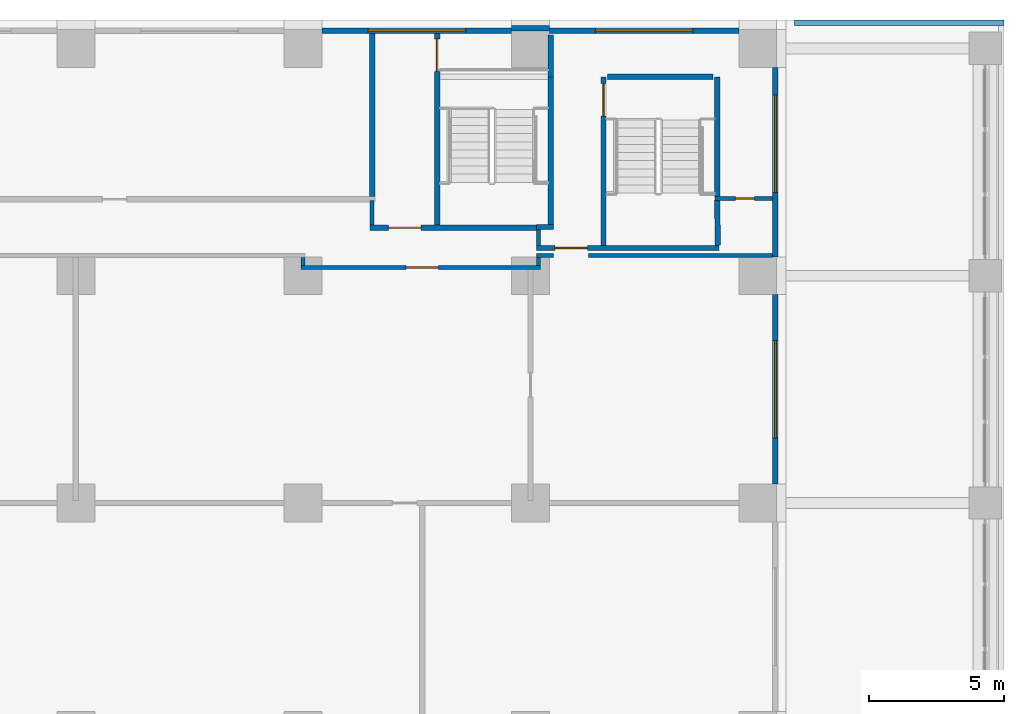
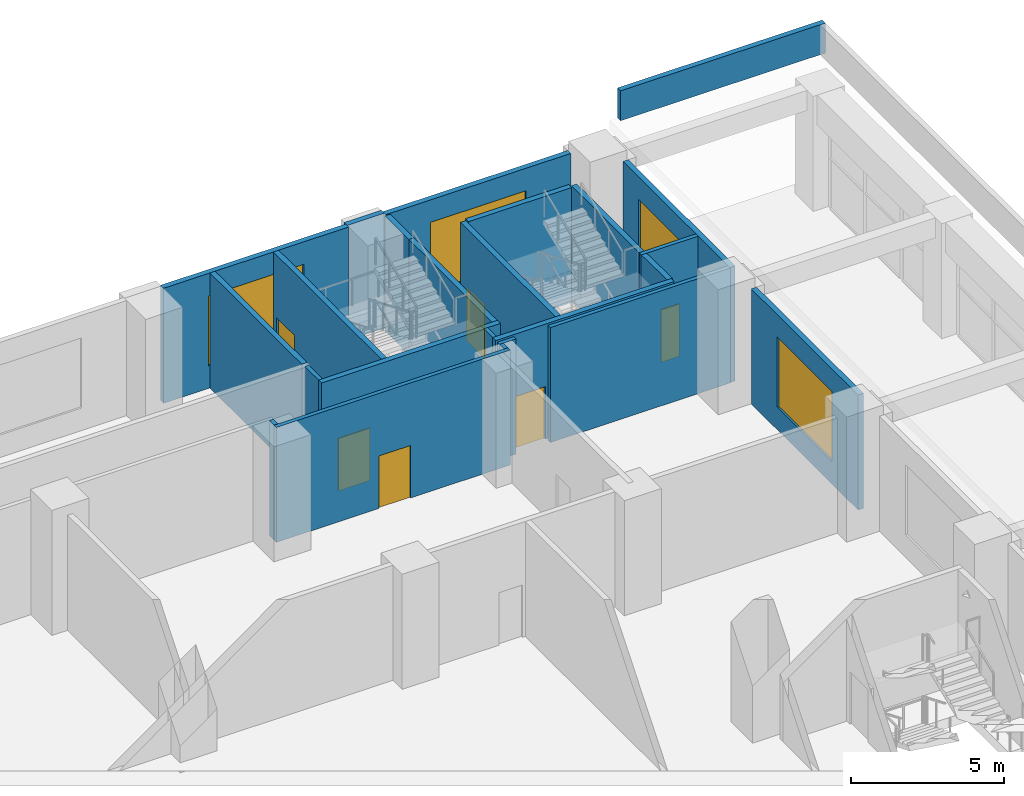
# One storey, part 17 of 29: 25 walls, 6 doors, 4 windows, 10 openings.
"""IFC4 building model written with IfcOpenShell, lengths in metres."""

from ifc_helpers import new_model, si_unit, direction, frame, frame_2d, origin, place, context, subcontext, project, spatial, rectangle, extrude, material, layer, layer_set, type_object, element, fill, save


model = new_model("IFC4")

# Units and contexts
model_context = context("Model", 3, precision=1e-05, world=origin(), true_north=direction((0.0, 1.0)))
body_context = subcontext(model_context, "Body", "Model", "MODEL_VIEW")
ifc_project = project(units=[si_unit("LENGTHUNIT", "METRE"), si_unit("AREAUNIT", "SQUARE_METRE"), si_unit("VOLUMEUNIT", "CUBIC_METRE"), si_unit("PLANEANGLEUNIT", "RADIAN"), si_unit("MASSUNIT", "GRAM", prefix="KILO")], contexts=[model_context])

# Site, building, storey
site_placement = place(None, origin())
site = spatial("IfcSite", under=ifc_project, at=site_placement, CompositionType="ELEMENT")
building_placement = place(site_placement, origin())
building = spatial("IfcBuilding", under=site, at=building_placement, Name="Vermilion Ogive Tower", CompositionType="ELEMENT")
storey_placement = place(building_placement, frame((0.0, 0.0, 7.5)))
storey = spatial("IfcBuildingStorey", under=building, at=storey_placement, Name="L01", CompositionType="ELEMENT", Elevation=7.5)

# Wall, opening, door
ifc_material_1 = material(Name="Gypsum board partition on steel studs", Category="steel")
ifc_layer_1 = layer(ifc_material_1, 0.14990234375)
ifc_layer_set_1 = layer_set([ifc_layer_1], Name="Partition 150 corridor")
wall_type_1 = type_object("IfcWallType", Name="Partition 150 corridor", PredefinedType="PARTITIONING", material=ifc_layer_set_1)
wall_1_placement = place(storey_placement, frame((33.52490234375, 21.300048828125, 0.0), z_axis=(0.0, 0.0, 1.0), x_axis=(1.0, 0.0, 0.0)))
wall_1 = element("IfcWall", 1, at=wall_1_placement, inside=storey, type_object=wall_type_1, Name="L01-FS-W-W030", PredefinedType="PARTITIONING", context=body_context, shape_type="SweptSolid", body=[
    extrude(rectangle(XDim=8.85009765625, YDim=0.14990234375, at=frame_2d((4.425048828125, 0.0))), origin(), (0.0, 0.0, 1.0), 4.60009765625),
])
opening_1_placement = place(wall_1_placement, frame((3.875, 0.0, 0.0)))
opening_1 = element("IfcOpeningElement", 2, at=opening_1_placement, cuts=wall_1, Name="Opening L01S043", PredefinedType="OPENING", context=body_context, shape_type="SweptSolid", body=[
    extrude(rectangle(XDim=1.199951171875, YDim=2.10009765625, at=frame_2d((0.60009765625, 1.050048828125))), frame((0.0, 0.0849609375, 0.0), z_axis=(0.0, -1.0, 0.0), x_axis=(1.0, 0.0, 0.0)), (0.0, 0.0, 1.0), 0.169921875),
])
ifc_material_2 = material(Name="Timber door leaf", Category="wood")
door_type_1 = type_object("IfcDoorType", Name="Room door 1200 x 2100 FD30", OperationType="SINGLE_SWING_LEFT", PredefinedType="DOOR", material=ifc_material_2)
door_1_placement = place(opening_1_placement, origin())
door_1 = element("IfcDoor", 3, at=door_1_placement, inside=storey, type_object=door_type_1, Name="L01-FS-D-D043", OperationType="SINGLE_SWING_RIGHT", OverallHeight=2.10009765625, OverallWidth=1.199951171875, PredefinedType="DOOR", context=body_context, shape_type="SweptSolid", body=[
    extrude(rectangle(XDim=1.199951171875, YDim=2.10009765625, at=frame_2d((0.60009765625, 1.050048828125))), frame((0.0, 0.02490234375, 0.0), z_axis=(0.0, -1.0, 0.0), x_axis=(1.0, 0.0, 0.0)), (0.0, 0.0, 1.0), 0.050048828125),
])
fill(opening_1, door_1)

# Wall
wall_2_placement = place(storey_placement, frame((42.22509765625, 21.75, 0.0), z_axis=(0.0, 0.0, 1.0), x_axis=(1.0, 0.0, 0.0)))
element("IfcWall", 4, at=wall_2_placement, inside=storey, type_object=wall_type_1, Name="L01-FS-W-W033", PredefinedType="PARTITIONING", context=body_context, shape_type="SweptSolid", body=[
    extrude(rectangle(XDim=0.624755859375, YDim=0.14990234375, at=frame_2d((0.3125, 0.0))), origin(), (0.0, 0.0, 1.0), 4.60009765625),
])

# Wall, opening, door
wall_3_placement = place(storey_placement, frame((48.8125, 23.85009765625, 0.0), z_axis=(0.0, 0.0, 1.0), x_axis=(1.0, 0.0, 0.0)))
wall_3 = element("IfcWall", 5, at=wall_3_placement, inside=storey, type_object=wall_type_1, Name="L01-FS-W-W040", PredefinedType="PARTITIONING", context=body_context, shape_type="SweptSolid", body=[
    extrude(rectangle(XDim=2.137451171875, YDim=0.14990234375, at=frame_2d((1.06884765625, 0.0))), origin(), (0.0, 0.0, 1.0), 4.60009765625),
])
opening_2_placement = place(wall_3_placement, frame((0.762451171875, 0.0, 0.0)))
opening_2 = element("IfcOpeningElement", 6, at=opening_2_placement, cuts=wall_3, Name="Opening L01S064", PredefinedType="OPENING", context=body_context, shape_type="SweptSolid", body=[
    extrude(rectangle(XDim=0.699951171875, YDim=2.10009765625, at=frame_2d((0.35009765625, 1.050048828125))), frame((0.0, 0.0849609375, 0.0), z_axis=(0.0, -1.0, 0.0), x_axis=(1.0, 0.0, 0.0)), (0.0, 0.0, 1.0), 0.169921875),
])
ifc_material_3 = material(Name="Timber door leaf", Category="wood")
door_type_2 = type_object("IfcDoorType", Name="Room door 700 x 2100 FD30", OperationType="SINGLE_SWING_LEFT", PredefinedType="DOOR", material=ifc_material_3)
door_2_placement = place(opening_2_placement, origin())
door_2 = element("IfcDoor", 7, at=door_2_placement, inside=storey, type_object=door_type_2, Name="L01-FS-D-D064", OperationType="SINGLE_SWING_RIGHT", OverallHeight=2.10009765625, OverallWidth=0.699951171875, PredefinedType="DOOR", context=body_context, shape_type="SweptSolid", body=[
    extrude(rectangle(XDim=0.699951171875, YDim=2.10009765625, at=frame_2d((0.35009765625, 1.050048828125))), frame((0.0, 0.02490234375, 0.0), z_axis=(0.0, -1.0, 0.0), x_axis=(1.0, 0.0, 0.0)), (0.0, 0.0, 1.0), 0.050048828125),
])
fill(opening_2, door_2)

# Walls
wall_4_placement = place(storey_placement, frame((33.60009765625, 21.375, 0.0), z_axis=(0.0, 0.0, 1.0), x_axis=(0.0, 1.0, 0.0)))
element("IfcWall", 8, at=wall_4_placement, inside=storey, type_object=wall_type_1, Name="L01-FS-W-W089", PredefinedType="PARTITIONING", context=body_context, shape_type="SweptSolid", body=[
    extrude(rectangle(XDim=0.300048828125, YDim=0.14990234375, at=frame_2d((0.14990234375, 0.0))), origin(), (0.0, 0.0, 1.0), 4.60009765625),
])
wall_5_placement = place(storey_placement, frame((36.14990234375, 22.875, 0.0), z_axis=(0.0, 0.0, 1.0), x_axis=(0.0, 1.0, 0.0)))
element("IfcWall", 9, at=wall_5_placement, inside=storey, type_object=wall_type_1, Name="L01-FS-W-W093", PredefinedType="PARTITIONING", context=body_context, shape_type="SweptSolid", body=[
    extrude(rectangle(XDim=0.89990234375, YDim=0.14990234375, at=frame_2d((0.449951171875, 0.0))), origin(), (0.0, 0.0, 1.0), 4.60009765625),
])
wall_6_placement = place(storey_placement, frame((42.300048828125, 21.375, 0.0), z_axis=(0.0, 0.0, 1.0), x_axis=(0.0, 1.0, 0.0)))
element("IfcWall", 10, at=wall_6_placement, inside=storey, type_object=wall_type_1, Name="L01-FS-W-W101", PredefinedType="PARTITIONING", context=body_context, shape_type="SweptSolid", body=[
    extrude(rectangle(XDim=0.300048828125, YDim=0.14990234375, at=frame_2d((0.14990234375, 0.0))), origin(), (0.0, 0.0, 1.0), 4.60009765625),
])
wall_7_placement = place(storey_placement, frame((42.300048828125, 22.125, 0.0), z_axis=(0.0, 0.0, 1.0), x_axis=(0.0, 1.0, 0.0)))
element("IfcWall", 11, at=wall_7_placement, inside=storey, type_object=wall_type_1, Name="L01-FS-W-W102", PredefinedType="PARTITIONING", context=body_context, shape_type="SweptSolid", body=[
    extrude(rectangle(XDim=0.574951171875, YDim=0.14990234375, at=frame_2d((0.28759765625, 0.0))), origin(), (0.0, 0.0, 1.0), 4.60009765625),
])
wall_8_placement = place(storey_placement, frame((44.14990234375, 21.75, 0.0), z_axis=(0.0, 0.0, 1.0), x_axis=(1.0, 0.0, 0.0)))
element("IfcWall", 12, at=wall_8_placement, inside=storey, type_object=wall_type_1, Name="L01-FS-W-W033-DO", PredefinedType="PARTITIONING", context=body_context, shape_type="SweptSolid", body=[
    extrude(rectangle(XDim=6.800048828125, YDim=0.14990234375, at=frame_2d((3.39990234375, 0.0))), origin(), (0.0, 0.0, 1.0), 4.60009765625),
])
ifc_material_4 = material(Name="Gypsum board partition on steel studs", Category="steel")
ifc_layer_2 = layer(ifc_material_4, 0.199951171875)
ifc_layer_set_2 = layer_set([ifc_layer_2], Name="Partition 200 party")
wall_type_2 = type_object("IfcWallType", Name="Partition 200 party", PredefinedType="PARTITIONING", material=ifc_layer_set_2)
wall_9_placement = place(storey_placement, frame((36.14990234375, 23.925048828125, 0.0), z_axis=(0.0, 0.0, 1.0), x_axis=(0.0, 1.0, 0.0)))
element("IfcWall", 13, at=wall_9_placement, inside=storey, type_object=wall_type_2, Name="L01-FS-W-W094", PredefinedType="PARTITIONING", context=body_context, shape_type="SweptSolid", body=[
    extrude(rectangle(XDim=6.02490234375, YDim=0.199951171875, at=frame_2d((3.012451171875, 0.0))), origin(), (0.0, 0.0, 1.0), 4.60009765625),
])

# Wall, opening, door
ifc_material_5 = material(Name="Concrete B60", Category="concrete")
ifc_layer_3 = layer(ifc_material_5, 0.199951171875)
ifc_layer_set_3 = layer_set([ifc_layer_3], Name="Stair shaft wall 200 Concrete B60")
wall_type_3 = type_object("IfcWallType", Name="Stair shaft wall 200 Concrete B60", PredefinedType="SOLIDWALL", material=ifc_layer_set_3)
wall_10_placement = place(storey_placement, frame((42.22509765625, 22.025146484375, 0.0), z_axis=(0.0, 0.0, 1.0), x_axis=(1.0, 0.0, 0.0)))
wall_10 = element("IfcWall", 14, at=wall_10_placement, inside=storey, type_object=wall_type_3, Name="L01-FS-W-W034", PredefinedType="SOLIDWALL", context=body_context, shape_type="SweptSolid", body=[
    extrude(rectangle(XDim=6.75, YDim=0.199951171875, at=frame_2d((3.375, 0.0))), origin(), (0.0, 0.0, 1.0), 4.60009765625),
])
opening_3_placement = place(wall_10_placement, frame((0.6748046875, 0.0, 0.0)))
opening_3 = element("IfcOpeningElement", 15, at=opening_3_placement, cuts=wall_10, Name="Opening L01S018", PredefinedType="OPENING", context=body_context, shape_type="SweptSolid", body=[
    extrude(rectangle(XDim=1.199951171875, YDim=2.10009765625, at=frame_2d((0.60009765625, 1.050048828125))), frame((0.0, 0.10986328125, 0.0), z_axis=(0.0, -1.0, 0.0), x_axis=(1.0, 0.0, 0.0)), (0.0, 0.0, 1.0), 0.219970703125),
])
ifc_material_6 = material(Name="Timber door leaf", Category="wood")
door_type_3 = type_object("IfcDoorType", Name="Stair door 1200 x 2100 FD60S", OperationType="SINGLE_SWING_LEFT", PredefinedType="DOOR", material=ifc_material_6)
door_3_placement = place(opening_3_placement, origin())
door_3 = element("IfcDoor", 16, at=door_3_placement, inside=storey, type_object=door_type_3, Name="L01-FS-D-D018", OperationType="SINGLE_SWING_LEFT", OverallHeight=2.10009765625, OverallWidth=1.199951171875, PredefinedType="DOOR", context=body_context, shape_type="SweptSolid", body=[
    extrude(rectangle(XDim=1.199951171875, YDim=2.10009765625, at=frame_2d((0.60009765625, 1.050048828125))), frame((0.0, 0.02490234375, 0.0), z_axis=(0.0, -1.0, 0.0), x_axis=(1.0, 0.0, 0.0)), (0.0, 0.0, 1.0), 0.050048828125),
])
fill(opening_3, door_3)

wall_11_placement = place(storey_placement, frame((36.074951171875, 22.775146484375, 0.0), z_axis=(0.0, 0.0, 1.0), x_axis=(1.0, 0.0, 0.0)))
wall_11 = element("IfcWall", 17, at=wall_11_placement, inside=storey, type_object=wall_type_3, Name="L01-FS-W-W035", PredefinedType="SOLIDWALL", context=body_context, shape_type="SweptSolid", body=[
    extrude(rectangle(XDim=6.300048828125, YDim=0.199951171875, at=frame_2d((3.14990234375, 0.0))), origin(), (0.0, 0.0, 1.0), 4.60009765625),
])
opening_4_placement = place(wall_11_placement, frame((0.675048828125, 0.0, 0.0)))
opening_4 = element("IfcOpeningElement", 18, at=opening_4_placement, cuts=wall_11, Name="Opening L01S013", PredefinedType="OPENING", context=body_context, shape_type="SweptSolid", body=[
    extrude(rectangle(XDim=1.199951171875, YDim=2.10009765625, at=frame_2d((0.60009765625, 1.050048828125))), frame((0.0, 0.10986328125, 0.0), z_axis=(0.0, -1.0, 0.0), x_axis=(1.0, 0.0, 0.0)), (0.0, 0.0, 1.0), 0.219970703125),
])
door_4_placement = place(opening_4_placement, origin())
door_4 = element("IfcDoor", 19, at=door_4_placement, inside=storey, type_object=door_type_3, Name="L01-FS-D-D013", OperationType="SINGLE_SWING_LEFT", OverallHeight=2.10009765625, OverallWidth=1.199951171875, PredefinedType="DOOR", context=body_context, shape_type="SweptSolid", body=[
    extrude(rectangle(XDim=1.199951171875, YDim=2.10009765625, at=frame_2d((0.60009765625, 1.050048828125))), frame((0.0, 0.02490234375, 0.0), z_axis=(0.0, -1.0, 0.0), x_axis=(1.0, 0.0, 0.0)), (0.0, 0.0, 1.0), 0.050048828125),
])
fill(opening_4, door_4)

# Wall
wall_12_placement = place(storey_placement, frame((42.22509765625, 22.800048828125, 0.0), z_axis=(0.0, 0.0, 1.0), x_axis=(1.0, 0.0, 0.0)))
element("IfcWall", 20, at=wall_12_placement, inside=storey, type_object=wall_type_3, Name="L01-FS-W-W036", PredefinedType="SOLIDWALL", context=body_context, shape_type="SweptSolid", body=[
    extrude(rectangle(XDim=0.625, YDim=0.199951171875, at=frame_2d((0.3125, 0.0))), origin(), (0.0, 0.0, 1.0), 4.60009765625),
])

# Wall, opening, door
wall_13_placement = place(storey_placement, frame((38.550048828125, 22.875, 0.0), z_axis=(0.0, 0.0, 1.0), x_axis=(0.0, 1.0, 0.0)))
wall_13 = element("IfcWall", 21, at=wall_13_placement, inside=storey, type_object=wall_type_3, Name="L01-FS-W-W097", PredefinedType="SOLIDWALL", context=body_context, shape_type="SweptSolid", body=[
    extrude(rectangle(XDim=7.074951171875, YDim=0.199951171875, at=frame_2d((3.53759765625, 0.0))), origin(), (0.0, 0.0, 1.0), 4.60009765625),
])
opening_5_placement = place(wall_13_placement, frame((5.675048828125, 0.0, 0.0)))
opening_5 = element("IfcOpeningElement", 22, at=opening_5_placement, cuts=wall_13, Name="Opening L01S002", PredefinedType="OPENING", context=body_context, shape_type="SweptSolid", body=[
    extrude(rectangle(XDim=1.199951171875, YDim=2.10009765625, at=frame_2d((0.60009765625, 1.050048828125))), frame((0.0, 0.10986328125, 0.0), z_axis=(0.0, -1.0, 0.0), x_axis=(1.0, 0.0, 0.0)), (0.0, 0.0, 1.0), 0.219970703125),
])
door_5_placement = place(opening_5_placement, origin())
door_5 = element("IfcDoor", 23, at=door_5_placement, inside=storey, type_object=door_type_3, Name="L01-FS-D-D002", OperationType="DOUBLE_DOOR_SINGLE_SWING", OverallHeight=2.10009765625, OverallWidth=1.199951171875, PredefinedType="DOOR", context=body_context, shape_type="SweptSolid", body=[
    extrude(rectangle(XDim=1.199951171875, YDim=2.10009765625, at=frame_2d((0.60009765625, 1.050048828125))), frame((0.0, 0.02490234375, 0.0), z_axis=(0.0, -1.0, 0.0), x_axis=(1.0, 0.0, 0.0)), (0.0, 0.0, 1.0), 0.050048828125),
])
fill(opening_5, door_5)

# Wall
wall_14_placement = place(storey_placement, frame((42.75, 22.89990234375, 0.0), z_axis=(0.0, 0.0, 1.0), x_axis=(0.0, 1.0, 0.0)))
element("IfcWall", 24, at=wall_14_placement, inside=storey, type_object=wall_type_3, Name="L01-FS-W-W105", PredefinedType="SOLIDWALL", context=body_context, shape_type="SweptSolid", body=[
    extrude(rectangle(XDim=5.4501953125, YDim=0.199951171875, at=frame_2d((2.72509765625, 0.0))), origin(), (0.0, 0.0, 1.0), 4.60009765625),
])

# Wall, opening, door
wall_15_placement = place(storey_placement, frame((44.699951171875, 22.125, 0.0), z_axis=(0.0, 0.0, 1.0), x_axis=(0.0, 1.0, 0.0)))
wall_15 = element("IfcWall", 25, at=wall_15_placement, inside=storey, type_object=wall_type_3, Name="L01-FS-W-W108", PredefinedType="SOLIDWALL", context=body_context, shape_type="SweptSolid", body=[
    extrude(rectangle(XDim=6.22509765625, YDim=0.199951171875, at=frame_2d((3.112548828125, 0.0))), origin(), (0.0, 0.0, 1.0), 4.60009765625),
])
opening_6_placement = place(wall_15_placement, frame((4.77490234375, 0.0, 0.0)))
opening_6 = element("IfcOpeningElement", 26, at=opening_6_placement, cuts=wall_15, Name="Opening L01S007", PredefinedType="OPENING", context=body_context, shape_type="SweptSolid", body=[
    extrude(rectangle(XDim=1.199951171875, YDim=2.10009765625, at=frame_2d((0.60009765625, 1.050048828125))), frame((0.0, 0.10986328125, 0.0), z_axis=(0.0, -1.0, 0.0), x_axis=(1.0, 0.0, 0.0)), (0.0, 0.0, 1.0), 0.219970703125),
])
door_6_placement = place(opening_6_placement, origin())
door_6 = element("IfcDoor", 27, at=door_6_placement, inside=storey, type_object=door_type_3, Name="L01-FS-D-D007", OperationType="DOUBLE_DOOR_SINGLE_SWING", OverallHeight=2.10009765625, OverallWidth=1.199951171875, PredefinedType="DOOR", context=body_context, shape_type="SweptSolid", body=[
    extrude(rectangle(XDim=1.199951171875, YDim=2.10009765625, at=frame_2d((0.60009765625, 1.050048828125))), frame((0.0, 0.02490234375, 0.0), z_axis=(0.0, -1.0, 0.0), x_axis=(1.0, 0.0, 0.0)), (0.0, 0.0, 1.0), 0.050048828125),
])
fill(opening_6, door_6)

# Walls
wall_16_placement = place(storey_placement, frame((48.9248046875, 22.125, 0.0), z_axis=(0.0, 0.0, 1.0), x_axis=(-0.014867161329, 0.999889477649, 0.0)))
element("IfcWall", 28, at=wall_16_placement, inside=storey, type_object=wall_type_3, Name="L01-FS-W-W111", PredefinedType="SOLIDWALL", context=body_context, shape_type="SweptSolid", body=[
    extrude(rectangle(XDim=1.675048828125, YDim=0.199951171875, at=frame_2d((0.83740234375, 0.0))), origin(), (0.0, 0.0, 1.0), 4.60009765625),
])
wall_17_placement = place(storey_placement, frame((48.89990234375, 23.925048828125, 0.0), z_axis=(0.0, 0.0, 1.0), x_axis=(0.0, 1.0, 0.0)))
element("IfcWall", 29, at=wall_17_placement, inside=storey, type_object=wall_type_3, Name="L01-FS-W-W112", PredefinedType="SOLIDWALL", context=body_context, shape_type="SweptSolid", body=[
    extrude(rectangle(XDim=4.425048828125, YDim=0.199951171875, at=frame_2d((2.21240234375, 0.0))), origin(), (0.0, 0.0, 1.0), 4.60009765625),
])

# Wall, opening, window
wall_18_placement = place(storey_placement, frame((34.300048828125, 30.050048828125, 0.0), z_axis=(0.0, 0.0, 1.0), x_axis=(1.0, 0.0, 0.0)))
wall_18 = element("IfcWall", 30, at=wall_18_placement, inside=storey, type_object=wall_type_3, Name="Window wall N2", PredefinedType="SOLIDWALL", context=body_context, shape_type="SweptSolid", body=[
    extrude(rectangle(XDim=7.0, YDim=0.199951171875, at=frame_2d((3.5, 0.0))), origin(), (0.0, 0.0, 1.0), 4.60009765625),
])
opening_7_placement = place(wall_18_placement, frame((1.699951171875, 0.0, 0.89990234375)))
opening_7 = element("IfcOpeningElement", 31, at=opening_7_placement, cuts=wall_18, Name="Opening P-N2", PredefinedType="OPENING", context=body_context, shape_type="SweptSolid", body=[
    extrude(rectangle(XDim=3.60009765625, YDim=2.800048828125, at=frame_2d((1.800048828125, 1.39990234375))), frame((0.0, 0.10986328125, 0.0), z_axis=(0.0, -1.0, 0.0), x_axis=(1.0, 0.0, 0.0)), (0.0, 0.0, 1.0), 0.219970703125),
])
ifc_material_7 = material(Name="Aluminium framed double glazing", Category="aluminium")
window_type = type_object("IfcWindowType", Name="Podium window P 3600x2800 sill 900", PartitioningType="SINGLE_PANEL", PredefinedType="WINDOW", material=ifc_material_7)
window_1_placement = place(opening_7_placement, origin())
window_1 = element("IfcWindow", 32, at=window_1_placement, inside=storey, type_object=window_type, Name="Window N2", OverallHeight=2.800048828125, OverallWidth=3.60009765625, PartitioningType="SINGLE_PANEL", PredefinedType="WINDOW", context=body_context, shape_type="SweptSolid", body=[
    extrude(rectangle(XDim=3.60009765625, YDim=2.800048828125, at=frame_2d((1.800048828125, 1.39990234375))), frame((0.0, 0.030029296875, 0.0), z_axis=(0.0, -1.0, 0.0), x_axis=(1.0, 0.0, 0.0)), (0.0, 0.0, 1.0), 0.06005859375),
])
fill(opening_7, window_1)

# Walls
wall_19_placement = place(storey_placement, frame((42.75, 28.35009765625, 0.0), z_axis=(0.0, 0.0, 1.0), x_axis=(0.0, 1.0, 0.0)))
element("IfcWall", 33, at=wall_19_placement, inside=storey, type_object=wall_type_3, Name="L01-SW-R003-E1", PredefinedType="SOLIDWALL", context=body_context, shape_type="SweptSolid", body=[
    extrude(rectangle(XDim=1.5498046875, YDim=0.199951171875, at=frame_2d((0.77490234375, 0.0))), origin(), (0.0, 0.0, 1.0), 4.60009765625),
])
wall_20_placement = place(storey_placement, frame((41.300048828125, 30.14990234375, 0.0), z_axis=(0.0, 0.0, 1.0), x_axis=(1.0, 0.0, 0.0)))
element("IfcWall", 34, at=wall_20_placement, inside=storey, type_object=wall_type_3, Name="L01-SW-R003-N1", PredefinedType="SOLIDWALL", context=body_context, shape_type="SweptSolid", body=[
    extrude(rectangle(XDim=1.39990234375, YDim=0.199951171875, at=frame_2d((0.699951171875, 0.0))), origin(), (0.0, 0.0, 1.0), 4.60009765625),
])
wall_21_placement = place(storey_placement, frame((44.85009765625, 28.35009765625, 0.0), z_axis=(0.0, 0.0, 1.0), x_axis=(1.0, 0.0, 0.0)))
element("IfcWall", 35, at=wall_21_placement, inside=storey, type_object=wall_type_3, Name="L01-SW-R013-N1", PredefinedType="SOLIDWALL", context=body_context, shape_type="SweptSolid", body=[
    extrude(rectangle(XDim=3.89990234375, YDim=0.199951171875, at=frame_2d((1.949951171875, 0.0))), origin(), (0.0, 0.0, 1.0), 4.60009765625),
])
ifc_material_8 = material(Name="Concrete B45", Category="concrete")
ifc_layer_4 = layer(ifc_material_8, 0.199951171875)
ifc_layer_set_4 = layer_set([ifc_layer_4], Name="Terrace parapet RC Concrete B45")
wall_type_4 = type_object("IfcWallType", Name="Terrace parapet RC Concrete B45", PredefinedType="PARAPET", material=ifc_layer_set_4)
wall_22_placement = place(storey_placement, frame((51.75, 30.35009765625, 5.0), z_axis=(0.0, 0.0, 1.0), x_axis=(1.0, 0.0, 0.0)))
element("IfcWall", 36, at=wall_22_placement, inside=storey, type_object=wall_type_4, Name="L01 terrace parapet 2", PredefinedType="PARAPET", context=body_context, shape_type="SweptSolid", body=[
    extrude(rectangle(XDim=7.75, YDim=0.199951171875, at=frame_2d((3.875, 0.0))), origin(), (0.0, 0.0, 1.0), 1.199951171875),
])

# Wall, opening, window
ifc_material_9 = material(Name="Aluminium window wall framing", Category="aluminium")
ifc_layer_5 = layer(ifc_material_9, 0.199951171875)
ifc_layer_set_5 = layer_set([ifc_layer_5], Name="Window wall")
wall_type_5 = type_object("IfcWallType", Name="Window wall", PredefinedType="STANDARD", material=ifc_layer_set_5)
wall_23_placement = place(storey_placement, frame((51.050048828125, 13.300048828125, 0.0), z_axis=(0.0, 0.0, 1.0), x_axis=(0.0, 1.0, 0.0)))
wall_23 = element("IfcWall", 37, at=wall_23_placement, inside=storey, type_object=wall_type_5, Name="Window wall E6", PredefinedType="STANDARD", context=body_context, shape_type="SweptSolid", body=[
    extrude(rectangle(XDim=7.0, YDim=0.199951171875, at=frame_2d((3.5, 0.0))), origin(), (0.0, 0.0, 1.0), 4.60009765625),
])
opening_8_placement = place(wall_23_placement, frame((1.699951171875, 0.0, 0.89990234375)))
opening_8 = element("IfcOpeningElement", 38, at=opening_8_placement, cuts=wall_23, Name="Opening P-E6", PredefinedType="OPENING", context=body_context, shape_type="SweptSolid", body=[
    extrude(rectangle(XDim=3.60009765625, YDim=2.800048828125, at=frame_2d((1.800048828125, 1.39990234375))), frame((0.0, 0.10986328125, 0.0), z_axis=(0.0, -1.0, 0.0), x_axis=(1.0, 0.0, 0.0)), (0.0, 0.0, 1.0), 0.219970703125),
])
window_2_placement = place(opening_8_placement, origin())
window_2 = element("IfcWindow", 39, at=window_2_placement, inside=storey, type_object=window_type, Name="Window E6", OverallHeight=2.800048828125, OverallWidth=3.60009765625, PartitioningType="SINGLE_PANEL", PredefinedType="WINDOW", context=body_context, shape_type="SweptSolid", body=[
    extrude(rectangle(XDim=3.60009765625, YDim=2.800048828125, at=frame_2d((1.800048828125, 1.39990234375))), frame((0.0, 0.030029296875, 0.0), z_axis=(0.0, -1.0, 0.0), x_axis=(1.0, 0.0, 0.0)), (0.0, 0.0, 1.0), 0.06005859375),
])
fill(opening_8, window_2)

wall_24_placement = place(storey_placement, frame((51.050048828125, 21.699951171875, 0.0), z_axis=(0.0, 0.0, 1.0), x_axis=(0.0, 1.0, 0.0)))
wall_24 = element("IfcWall", 40, at=wall_24_placement, inside=storey, type_object=wall_type_5, Name="Window wall E7", PredefinedType="STANDARD", context=body_context, shape_type="SweptSolid", body=[
    extrude(rectangle(XDim=7.0, YDim=0.199951171875, at=frame_2d((3.5, 0.0))), origin(), (0.0, 0.0, 1.0), 4.60009765625),
])
opening_9_placement = place(wall_24_placement, frame((2.3701171875, 0.0, 0.89990234375)))
opening_9 = element("IfcOpeningElement", 41, at=opening_9_placement, cuts=wall_24, Name="Opening P-E7", PredefinedType="OPENING", context=body_context, shape_type="SweptSolid", body=[
    extrude(rectangle(XDim=3.60009765625, YDim=2.800048828125, at=frame_2d((1.800048828125, 1.39990234375))), frame((0.0, 0.10986328125, 0.0), z_axis=(0.0, -1.0, 0.0), x_axis=(1.0, 0.0, 0.0)), (0.0, 0.0, 1.0), 0.219970703125),
])
window_3_placement = place(opening_9_placement, origin())
window_3 = element("IfcWindow", 42, at=window_3_placement, inside=storey, type_object=window_type, Name="Window E7", OverallHeight=2.800048828125, OverallWidth=3.60009765625, PartitioningType="SINGLE_PANEL", PredefinedType="WINDOW", context=body_context, shape_type="SweptSolid", body=[
    extrude(rectangle(XDim=3.60009765625, YDim=2.800048828125, at=frame_2d((1.800048828125, 1.39990234375))), frame((0.0, 0.030029296875, 0.0), z_axis=(0.0, -1.0, 0.0), x_axis=(1.0, 0.0, 0.0)), (0.0, 0.0, 1.0), 0.06005859375),
])
fill(opening_9, window_3)

wall_25_placement = place(storey_placement, frame((49.699951171875, 30.050048828125, 0.0), z_axis=(0.0, 0.0, 1.0), x_axis=(-1.0, 0.0, 0.0)))
wall_25 = element("IfcWall", 43, at=wall_25_placement, inside=storey, type_object=wall_type_5, Name="Window wall N1", PredefinedType="STANDARD", context=body_context, shape_type="SweptSolid", body=[
    extrude(rectangle(XDim=7.0, YDim=0.199951171875, at=frame_2d((3.5, 0.0))), origin(), (0.0, 0.0, 1.0), 4.60009765625),
])
opening_10_placement = place(wall_25_placement, frame((1.699951171875, 0.0, 0.89990234375)))
opening_10 = element("IfcOpeningElement", 44, at=opening_10_placement, cuts=wall_25, Name="Opening P-N1", PredefinedType="OPENING", context=body_context, shape_type="SweptSolid", body=[
    extrude(rectangle(XDim=3.60009765625, YDim=2.800048828125, at=frame_2d((1.800048828125, 1.39990234375))), frame((0.0, 0.10986328125, 0.0), z_axis=(0.0, -1.0, 0.0), x_axis=(1.0, 0.0, 0.0)), (0.0, 0.0, 1.0), 0.219970703125),
])
window_4_placement = place(opening_10_placement, origin())
window_4 = element("IfcWindow", 45, at=window_4_placement, inside=storey, type_object=window_type, Name="Window N1", OverallHeight=2.800048828125, OverallWidth=3.60009765625, PartitioningType="SINGLE_PANEL", PredefinedType="WINDOW", context=body_context, shape_type="SweptSolid", body=[
    extrude(rectangle(XDim=3.60009765625, YDim=2.800048828125, at=frame_2d((1.800048828125, 1.39990234375))), frame((0.0, 0.030029296875, 0.0), z_axis=(0.0, -1.0, 0.0), x_axis=(1.0, 0.0, 0.0)), (0.0, 0.0, 1.0), 0.06005859375),
])
fill(opening_10, window_4)

save(model, "model.ifc")
